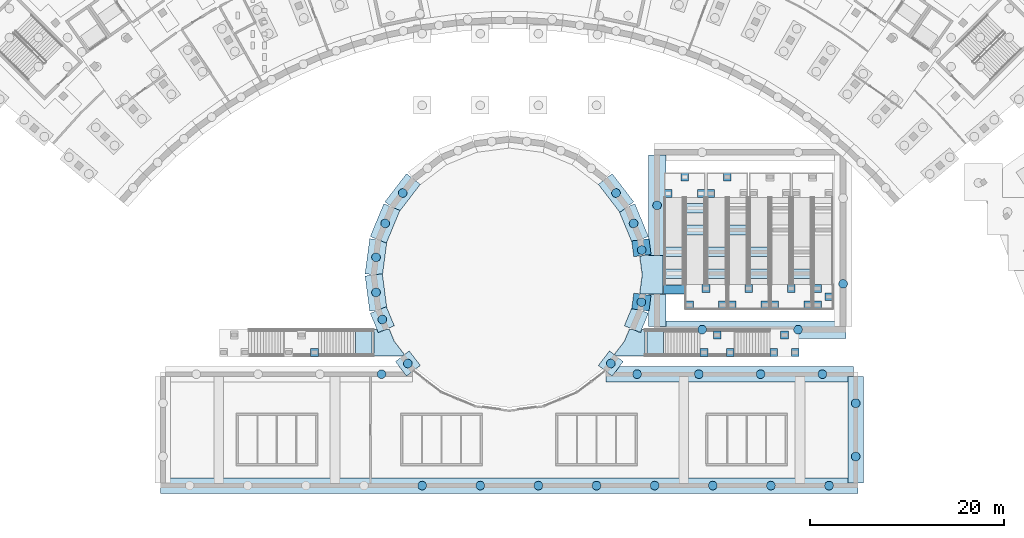
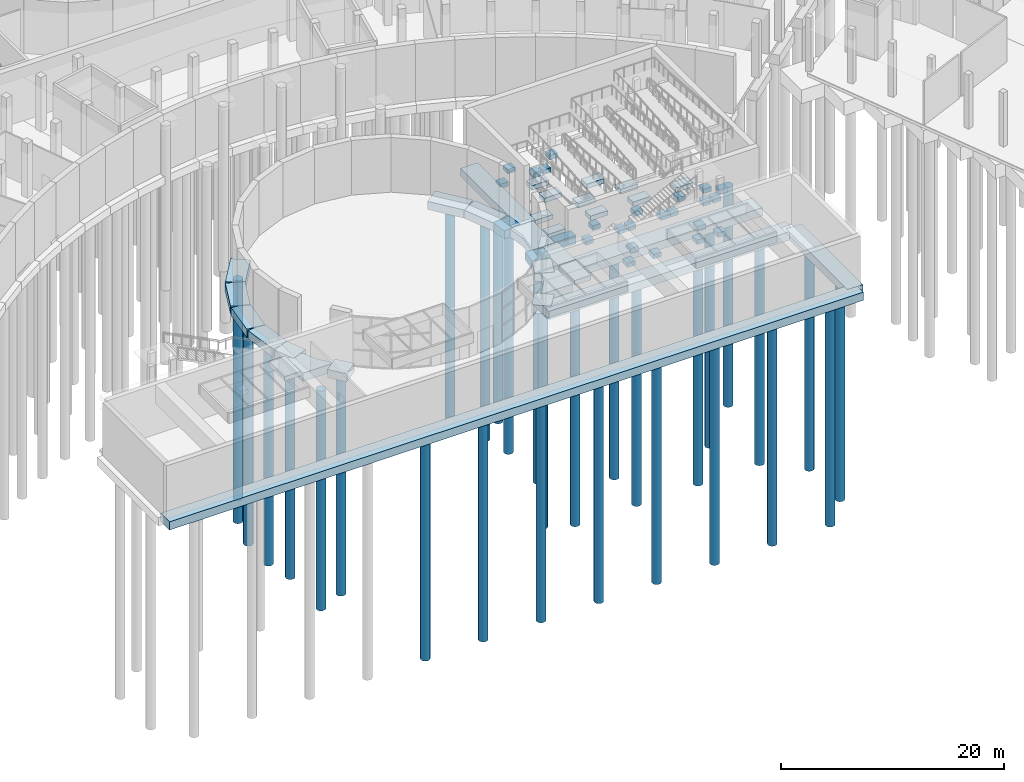
# One storey, part 2 of 66: 58 footings, 30 piles.
"""IFC4 building model written with IfcOpenShell, lengths in metres."""

from ifc_helpers import new_model, si_unit, direction, frame, origin, origin_2d, place, context, subcontext, project, spatial, polyline, circle, outline, extrude, material, material_profile, profile_set, type_object, element, save


model = new_model("IFC4")

# Units and contexts
model_context = context("Model", 3, precision=1e-05, world=origin(), true_north=direction((0.0, 1.0)))
body_context = subcontext(model_context, "Body", "Model", "MODEL_VIEW")
ifc_project = project(units=[si_unit("LENGTHUNIT", "METRE"), si_unit("AREAUNIT", "SQUARE_METRE"), si_unit("VOLUMEUNIT", "CUBIC_METRE"), si_unit("PLANEANGLEUNIT", "RADIAN"), si_unit("MASSUNIT", "GRAM", prefix="KILO")], contexts=[model_context])

# Site, building, storey
site_placement = place(None, origin())
site = spatial("IfcSite", under=ifc_project, at=site_placement, CompositionType="ELEMENT")
building_placement = place(site_placement, origin())
building = spatial("IfcBuilding", under=site, at=building_placement, Name="Lunette Opera House", CompositionType="ELEMENT")
storey_placement = place(building_placement, frame((0.0, 0.0, -6.0)))
storey = spatial("IfcBuildingStorey", under=building, at=storey_placement, Name="B1", CompositionType="ELEMENT", Elevation=-6.0)

# Piles
ifc_material_1 = material(Name="Concrete C40/50", Category="concrete")
ifc_material_profile = material_profile(ifc_material_1, circle(Radius=0.449951171875, at=origin_2d()), Name="BORED PILE 900")
ifc_profile_set = profile_set([ifc_material_profile], Name="Concrete C40/50")
pile_type = type_object("IfcPileType", Name="BORED PILE 900", PredefinedType="BORED", material=ifc_profile_set)
for number, where, z_axis, x_axis, name in (
    (1, (107.010986328125, 34.449951171875, -1.10009765625), (0.0, 0.0, -1.0), (1.0, 0.0, 0.0), "pile-SF-SFCCW04-1"),
    (2, (108.822998046875, 31.31201171875, -1.10009765625), (0.0, 0.0, -1.0), (1.0, 0.0, 0.0), "pile-SF-SFCCW05-1"),
    (3, (109.662109375, 28.56396484375, -1.10009765625), (0.0, 0.0, -1.0), (1.0, 0.0, 0.0), "pile-SF-SFCCW06-1"),
    (4, (109.6298828125, 23.18798828125, -1.10009765625), (0.0, 0.0, -1.0), (1.0, 0.0, 0.0), "pile-SF-SFCCW07-1"),
    (5, (106.47412109375, 16.85107421875, -1.10009765625), (0.0, 0.0, -1.0), (1.0, 0.0, 0.0), "pile-SF-SFCCW09-1"),
    (6, (85.52587890625, 16.85107421875, -1.10009765625), (0.0, 0.0, -1.0), (1.0, 0.0, 0.0), "pile-SF-SFCCW16-1"),
    (7, (82.886962890625, 21.388916015625, -1.10009765625), (0.0, 0.0, -1.0), (1.0, 0.0, 0.0), "pile-SF-SFCCW17-1"),
    (8, (82.239013671875, 24.18798828125, -1.10009765625), (0.0, 0.0, -1.0), (1.0, 0.0, 0.0), "pile-SF-SFCCW18-1"),
    (9, (82.239013671875, 27.81201171875, -1.10009765625), (0.0, 0.0, -1.0), (1.0, 0.0, 0.0), "pile-SF-SFCCW19-1"),
    (10, (83.177001953125, 31.31201171875, -1.10009765625), (0.0, 0.0, -1.0), (1.0, 0.0, 0.0), "pile-SF-SFCCW20-1"),
    (11, (84.989013671875, 34.449951171875, -1.10009765625), (0.0, 0.0, -1.0), (1.0, 0.0, 0.0), "pile-SF-SFCCW21-1"),
    (12, (115.89990234375, 20.35009765625, -1.10009765625), (0.0, 0.0, -1.0), (1.0, 0.0, 0.0), "pile-SF-SFCRPS-1"),
    (13, (125.800048828125, 20.35009765625, -1.10009765625), (0.0, 0.0, -1.0), (1.0, 0.0, 0.0), "pile-SF-SFCRPS-2"),
    (14, (130.449951171875, 25.074951171875, -1.10009765625), (0.0, 0.0, -1.0), (1.0, 0.0, 0.0), "pile-SF-SFCRPE-1"),
    (15, (111.25, 33.175048828125, -1.10009765625), (0.0, 0.0, -1.0), (1.0, 0.0, 0.0), "pile-SF-SFCRPWN-1"),
    (16, (87.0, 4.25, -1.10009765625), (0.0, 0.0, -1.0), (1.0, 0.0, 0.0), "pile-SF-SFCNS-5"),
    (17, (93.0, 4.25, -1.10009765625), (0.0, 0.0, -1.0), (1.0, 0.0, 0.0), "pile-SF-SFCNS-6"),
    (18, (99.0, 4.25, -1.10009765625), (0.0, 0.0, -1.0), (1.0, 0.0, 0.0), "pile-SF-SFCNS-7"),
    (19, (105.0, 4.25, -1.10009765625), (0.0, 0.0, -1.0), (1.0, 0.0, 0.0), "pile-SF-SFCNS-8"),
    (20, (111.0, 4.25, -1.10009765625), (0.0, 0.0, -1.0), (1.0, 0.0, 0.0), "pile-SF-SFCNS-9"),
    (21, (117.0, 4.25, -1.10009765625), (0.0, 0.0, -1.0), (1.0, 0.0, 0.0), "pile-SF-SFCNS-10"),
    (22, (123.0, 4.25, -1.10009765625), (0.0, 0.0, -1.0), (1.0, 0.0, 0.0), "pile-SF-SFCNS-11"),
    (23, (129.0, 4.25, -1.10009765625), (0.0, 0.0, -1.0), (1.0, 0.0, 0.0), "pile-SF-SFCNS-12"),
    (24, (131.75, 7.25, -1.10009765625), (0.0, 0.0, -1.0), (1.0, 0.0, 0.0), "pile-SF-SFCNE-1"),
    (25, (131.75, 12.75, -1.10009765625), (0.0, 0.0, -1.0), (1.0, 0.0, 0.0), "pile-SF-SFCNE-2"),
    (26, (82.81201171875, 15.75, -1.10009765625), (0.0, 0.0, -1.0), (1.0, 0.0, 0.0), "pile-SF-SFCNNW-4"),
    (27, (109.18798828125, 15.75, -1.10009765625), (0.0, 0.0, -1.0), (1.0, 0.0, 0.0), "pile-SF-SFCNNE-1"),
    (28, (115.56201171875, 15.75, -1.10009765625), (0.0, 0.0, -1.0), (1.0, 0.0, 0.0), "pile-SF-SFCNNE-2"),
    (29, (121.93798828125, 15.75, -1.10009765625), (0.0, 0.0, -1.0), (1.0, 0.0, 0.0), "pile-SF-SFCNNE-3"),
    (30, (128.31201171875, 15.75, -1.10009765625), (0.0, 0.0, -1.0), (1.0, 0.0, 0.0), "pile-SF-SFCNNE-4"),
):
    element("IfcPile", number, at=place(storey_placement, frame(where, z_axis=z_axis, x_axis=x_axis)), inside=storey, type_object=pile_type, Name=name, PredefinedType="BORED", context=body_context, shape_type="SweptSolid", body=[
        extrude(circle(Radius=0.449951171875, at=origin_2d()), origin(), (0.0, 0.0, 1.0), 24.10009765625),
    ])

# Footings
ifc_material_2 = material(Name="Concrete C35/45", Category="concrete")
footing_type_1 = type_object("IfcFootingType", Name="RAMP PIER FOOTING", PredefinedType="PAD_FOOTING", material=ifc_material_2)
footing_1_placement = place(storey_placement, frame((0.0, 0.0, -0.5)))
element("IfcFooting", 31, at=footing_1_placement, inside=storey, type_object=footing_type_1, Name="FS1 flight footing", PredefinedType="PAD_FOOTING", context=body_context, shape_type="SweptSolid", body=[
    extrude(outline(polyline([(80.10009765625, 17.60009765625), (81.800048828125, 17.60009765625), (81.800048828125, 20.39990234375), (80.10009765625, 20.39990234375), (80.10009765625, 17.60009765625)])), origin(), (0.0, 0.0, 1.0), 0.5),
])
footing_2_placement = place(storey_placement, frame((0.0, 0.0, -0.5)))
element("IfcFooting", 32, at=footing_2_placement, inside=storey, type_object=footing_type_1, Name="Bearing pier footing FS1-L1-P2", PredefinedType="PAD_FOOTING", context=body_context, shape_type="SweptSolid", body=[
    extrude(outline(polyline([(75.5, 17.60009765625), (76.300048828125, 17.60009765625), (76.300048828125, 18.39990234375), (75.5, 18.39990234375), (75.5, 17.60009765625)])), origin(), (0.0, 0.0, 1.0), 0.5),
])
footing_3_placement = place(storey_placement, frame((0.0, 0.0, -0.5)))
element("IfcFooting", 33, at=footing_3_placement, inside=storey, type_object=footing_type_1, Name="FS2 flight footing", PredefinedType="PAD_FOOTING", context=body_context, shape_type="SweptSolid", body=[
    extrude(outline(polyline([(110.199951171875, 17.60009765625), (111.89990234375, 17.60009765625), (111.89990234375, 20.39990234375), (110.199951171875, 20.39990234375), (110.199951171875, 17.60009765625)])), origin(), (0.0, 0.0, 1.0), 0.5),
])
footing_4_placement = place(storey_placement, frame((0.0, 0.0, -0.5)))
element("IfcFooting", 34, at=footing_4_placement, inside=storey, type_object=footing_type_1, Name="Bearing pier footing FS2-L1-P1", PredefinedType="PAD_FOOTING", context=body_context, shape_type="SweptSolid", body=[
    extrude(outline(polyline([(115.699951171875, 17.60009765625), (116.5, 17.60009765625), (116.5, 18.39990234375), (115.699951171875, 18.39990234375), (115.699951171875, 17.60009765625)])), origin(), (0.0, 0.0, 1.0), 0.5),
])
footing_5_placement = place(storey_placement, frame((0.0, 0.0, -0.5)))
element("IfcFooting", 35, at=footing_5_placement, inside=storey, type_object=footing_type_1, Name="Bearing pier footing FS2-L1-P2", PredefinedType="PAD_FOOTING", context=body_context, shape_type="SweptSolid", body=[
    extrude(outline(polyline([(118.39990234375, 17.60009765625), (119.199951171875, 17.60009765625), (119.199951171875, 18.39990234375), (118.39990234375, 18.39990234375), (118.39990234375, 17.60009765625)])), origin(), (0.0, 0.0, 1.0), 0.5),
])
footing_6_placement = place(storey_placement, frame((0.0, 0.0, -0.5)))
element("IfcFooting", 36, at=footing_6_placement, inside=storey, type_object=footing_type_1, Name="Bearing pier footing FS2-L1-P3", PredefinedType="PAD_FOOTING", context=body_context, shape_type="SweptSolid", body=[
    extrude(outline(polyline([(117.050048828125, 19.39990234375), (117.85009765625, 19.39990234375), (117.85009765625, 20.199951171875), (117.050048828125, 20.199951171875), (117.050048828125, 19.39990234375)])), origin(), (0.0, 0.0, 1.0), 0.5),
])
footing_7_placement = place(storey_placement, frame((0.0, 0.0, -0.5)))
element("IfcFooting", 37, at=footing_7_placement, inside=storey, type_object=footing_type_1, Name="Bearing pier footing FS2-L2-P1", PredefinedType="PAD_FOOTING", context=body_context, shape_type="SweptSolid", body=[
    extrude(outline(polyline([(122.89990234375, 17.60009765625), (123.699951171875, 17.60009765625), (123.699951171875, 18.39990234375), (122.89990234375, 18.39990234375), (122.89990234375, 17.60009765625)])), origin(), (0.0, 0.0, 1.0), 0.5),
])
footing_8_placement = place(storey_placement, frame((0.0, 0.0, -0.5)))
element("IfcFooting", 38, at=footing_8_placement, inside=storey, type_object=footing_type_1, Name="Bearing pier footing FS2-L2-P2", PredefinedType="PAD_FOOTING", context=body_context, shape_type="SweptSolid", body=[
    extrude(outline(polyline([(125.10009765625, 17.60009765625), (125.89990234375, 17.60009765625), (125.89990234375, 18.39990234375), (125.10009765625, 18.39990234375), (125.10009765625, 17.60009765625)])), origin(), (0.0, 0.0, 1.0), 0.5),
])
footing_9_placement = place(storey_placement, frame((0.0, 0.0, -0.5)))
element("IfcFooting", 39, at=footing_9_placement, inside=storey, type_object=footing_type_1, Name="Bearing pier footing FS2-L2-P3", PredefinedType="PAD_FOOTING", context=body_context, shape_type="SweptSolid", body=[
    extrude(outline(polyline([(124.0, 19.39990234375), (124.800048828125, 19.39990234375), (124.800048828125, 20.199951171875), (124.0, 20.199951171875), (124.0, 19.39990234375)])), origin(), (0.0, 0.0, 1.0), 0.5),
])
footing_10_placement = place(storey_placement, frame((0.0, 0.0, -0.95703125)))
element("IfcFooting", 40, at=footing_10_placement, inside=storey, type_object=footing_type_1, Name="Bearing pier footing FR1-R1", PredefinedType="PAD_FOOTING", context=body_context, shape_type="SweptSolid", body=[
    extrude(outline(polyline([(112.10009765625, 25.625), (113.89990234375, 25.625), (113.89990234375, 26.625), (112.10009765625, 26.625), (112.10009765625, 25.625)])), origin(), (0.0, 0.0, 1.0), 0.5),
])
footing_11_placement = place(storey_placement, frame((0.0, 0.0, -0.77001953125)))
element("IfcFooting", 41, at=footing_11_placement, inside=storey, type_object=footing_type_1, Name="Bearing pier footing FR1-R2", PredefinedType="PAD_FOOTING", context=body_context, shape_type="SweptSolid", body=[
    extrude(outline(polyline([(112.10009765625, 27.875), (113.89990234375, 27.875), (113.89990234375, 28.875), (112.10009765625, 28.875), (112.10009765625, 27.875)])), origin(), (0.0, 0.0, 1.0), 0.5),
])
footing_12_placement = place(storey_placement, frame((0.0, 0.0, -0.5)))
element("IfcFooting", 42, at=footing_12_placement, inside=storey, type_object=footing_type_1, Name="Bearing pier footing FR1-L-P1", PredefinedType="PAD_FOOTING", context=body_context, shape_type="SweptSolid", body=[
    extrude(outline(polyline([(112.0, 34.0), (112.800048828125, 34.0), (112.800048828125, 34.800048828125), (112.0, 34.800048828125), (112.0, 34.0)])), origin(), (0.0, 0.0, 1.0), 0.5),
])
footing_13_placement = place(storey_placement, frame((0.0, 0.0, -0.5)))
element("IfcFooting", 43, at=footing_13_placement, inside=storey, type_object=footing_type_1, Name="Bearing pier footing FR1-L-P2", PredefinedType="PAD_FOOTING", context=body_context, shape_type="SweptSolid", body=[
    extrude(outline(polyline([(115.39990234375, 34.0), (116.199951171875, 34.0), (116.199951171875, 34.800048828125), (115.39990234375, 34.800048828125), (115.39990234375, 34.0)])), origin(), (0.0, 0.0, 1.0), 0.5),
])
footing_14_placement = place(storey_placement, frame((0.0, 0.0, -0.5)))
element("IfcFooting", 44, at=footing_14_placement, inside=storey, type_object=footing_type_1, Name="Bearing pier footing FR1-L-P3", PredefinedType="PAD_FOOTING", context=body_context, shape_type="SweptSolid", body=[
    extrude(outline(polyline([(113.699951171875, 35.699951171875), (114.5, 35.699951171875), (114.5, 36.5), (113.699951171875, 36.5), (113.699951171875, 35.699951171875)])), origin(), (0.0, 0.0, 1.0), 0.5),
])
footing_15_placement = place(storey_placement, frame((0.0, 0.0, -0.5)))
element("IfcFooting", 45, at=footing_15_placement, inside=storey, type_object=footing_type_1, Name="Bearing pier footing FR2-R1", PredefinedType="PAD_FOOTING", context=body_context, shape_type="SweptSolid", body=[
    extrude(outline(polyline([(114.300048828125, 32.375), (116.10009765625, 32.375), (116.10009765625, 33.375), (114.300048828125, 33.375), (114.300048828125, 32.375)])), origin(), (0.0, 0.0, 1.0), 0.5),
])
footing_16_placement = place(storey_placement, frame((0.0, 0.0, -0.5)))
element("IfcFooting", 46, at=footing_16_placement, inside=storey, type_object=footing_type_1, Name="Bearing pier footing FR2-R2", PredefinedType="PAD_FOOTING", context=body_context, shape_type="SweptSolid", body=[
    extrude(outline(polyline([(114.300048828125, 30.125), (116.10009765625, 30.125), (116.10009765625, 31.125), (114.300048828125, 31.125), (114.300048828125, 30.125)])), origin(), (0.0, 0.0, 1.0), 0.5),
])
footing_17_placement = place(storey_placement, frame((0.0, 0.0, -0.5)))
element("IfcFooting", 47, at=footing_17_placement, inside=storey, type_object=footing_type_1, Name="Bearing pier footing FR2-L-P1", PredefinedType="PAD_FOOTING", context=body_context, shape_type="SweptSolid", body=[
    extrude(outline(polyline([(114.199951171875, 22.5), (115.0, 22.5), (115.0, 23.300048828125), (114.199951171875, 23.300048828125), (114.199951171875, 22.5)])), origin(), (0.0, 0.0, 1.0), 0.5),
])
footing_18_placement = place(storey_placement, frame((0.0, 0.0, -0.5)))
element("IfcFooting", 48, at=footing_18_placement, inside=storey, type_object=footing_type_1, Name="Bearing pier footing FR2-L-P2", PredefinedType="PAD_FOOTING", context=body_context, shape_type="SweptSolid", body=[
    extrude(outline(polyline([(117.60009765625, 22.5), (118.39990234375, 22.5), (118.39990234375, 23.300048828125), (117.60009765625, 23.300048828125), (117.60009765625, 22.5)])), origin(), (0.0, 0.0, 1.0), 0.5),
])
footing_19_placement = place(storey_placement, frame((0.0, 0.0, -0.5)))
element("IfcFooting", 49, at=footing_19_placement, inside=storey, type_object=footing_type_1, Name="Bearing pier footing FR2-L-P3", PredefinedType="PAD_FOOTING", context=body_context, shape_type="SweptSolid", body=[
    extrude(outline(polyline([(115.89990234375, 24.199951171875), (116.699951171875, 24.199951171875), (116.699951171875, 25.0), (115.89990234375, 25.0), (115.89990234375, 24.199951171875)])), origin(), (0.0, 0.0, 1.0), 0.5),
])
footing_20_placement = place(storey_placement, frame((0.0, 0.0, -0.5)))
element("IfcFooting", 50, at=footing_20_placement, inside=storey, type_object=footing_type_1, Name="Bearing pier footing FR3-R1", PredefinedType="PAD_FOOTING", context=body_context, shape_type="SweptSolid", body=[
    extrude(outline(polyline([(116.5, 25.625), (118.300048828125, 25.625), (118.300048828125, 26.625), (116.5, 26.625), (116.5, 25.625)])), origin(), (0.0, 0.0, 1.0), 0.5),
])
footing_21_placement = place(storey_placement, frame((0.0, 0.0, -0.5)))
element("IfcFooting", 51, at=footing_21_placement, inside=storey, type_object=footing_type_1, Name="Bearing pier footing FR3-R2", PredefinedType="PAD_FOOTING", context=body_context, shape_type="SweptSolid", body=[
    extrude(outline(polyline([(116.5, 27.875), (118.300048828125, 27.875), (118.300048828125, 28.875), (116.5, 28.875), (116.5, 27.875)])), origin(), (0.0, 0.0, 1.0), 0.5),
])
footing_22_placement = place(storey_placement, frame((0.0, 0.0, -0.5)))
element("IfcFooting", 52, at=footing_22_placement, inside=storey, type_object=footing_type_1, Name="Bearing pier footing FR3-L-P1", PredefinedType="PAD_FOOTING", context=body_context, shape_type="SweptSolid", body=[
    extrude(outline(polyline([(116.39990234375, 34.0), (117.199951171875, 34.0), (117.199951171875, 34.800048828125), (116.39990234375, 34.800048828125), (116.39990234375, 34.0)])), origin(), (0.0, 0.0, 1.0), 0.5),
])
footing_23_placement = place(storey_placement, frame((0.0, 0.0, -0.5)))
element("IfcFooting", 53, at=footing_23_placement, inside=storey, type_object=footing_type_1, Name="Bearing pier footing FR3-L-P3", PredefinedType="PAD_FOOTING", context=body_context, shape_type="SweptSolid", body=[
    extrude(outline(polyline([(118.10009765625, 35.699951171875), (118.89990234375, 35.699951171875), (118.89990234375, 36.5), (118.10009765625, 36.5), (118.10009765625, 35.699951171875)])), origin(), (0.0, 0.0, 1.0), 0.5),
])
footing_24_placement = place(storey_placement, frame((0.0, 0.0, -0.5)))
element("IfcFooting", 54, at=footing_24_placement, inside=storey, type_object=footing_type_1, Name="Bearing pier footing FR4-R2", PredefinedType="PAD_FOOTING", context=body_context, shape_type="SweptSolid", body=[
    extrude(outline(polyline([(118.699951171875, 30.125), (120.5, 30.125), (120.5, 31.125), (118.699951171875, 31.125), (118.699951171875, 30.125)])), origin(), (0.0, 0.0, 1.0), 0.5),
])
footing_25_placement = place(storey_placement, frame((0.0, 0.0, -0.5)))
element("IfcFooting", 55, at=footing_25_placement, inside=storey, type_object=footing_type_1, Name="Bearing pier footing FR4-L-P1", PredefinedType="PAD_FOOTING", context=body_context, shape_type="SweptSolid", body=[
    extrude(outline(polyline([(118.60009765625, 22.5), (119.39990234375, 22.5), (119.39990234375, 23.300048828125), (118.60009765625, 23.300048828125), (118.60009765625, 22.5)])), origin(), (0.0, 0.0, 1.0), 0.5),
])
footing_26_placement = place(storey_placement, frame((0.0, 0.0, -0.5)))
element("IfcFooting", 56, at=footing_26_placement, inside=storey, type_object=footing_type_1, Name="Bearing pier footing FR4-L-P2", PredefinedType="PAD_FOOTING", context=body_context, shape_type="SweptSolid", body=[
    extrude(outline(polyline([(122.0, 22.5), (122.800048828125, 22.5), (122.800048828125, 23.300048828125), (122.0, 23.300048828125), (122.0, 22.5)])), origin(), (0.0, 0.0, 1.0), 0.5),
])
footing_27_placement = place(storey_placement, frame((0.0, 0.0, -0.5)))
element("IfcFooting", 57, at=footing_27_placement, inside=storey, type_object=footing_type_1, Name="Bearing pier footing FR4-L-P3", PredefinedType="PAD_FOOTING", context=body_context, shape_type="SweptSolid", body=[
    extrude(outline(polyline([(120.300048828125, 24.199951171875), (121.10009765625, 24.199951171875), (121.10009765625, 25.0), (120.300048828125, 25.0), (120.300048828125, 24.199951171875)])), origin(), (0.0, 0.0, 1.0), 0.5),
])
footing_28_placement = place(storey_placement, frame((0.0, 0.0, -0.5)))
element("IfcFooting", 58, at=footing_28_placement, inside=storey, type_object=footing_type_1, Name="Bearing pier footing FR5-R1", PredefinedType="PAD_FOOTING", context=body_context, shape_type="SweptSolid", body=[
    extrude(outline(polyline([(120.89990234375, 25.625), (122.699951171875, 25.625), (122.699951171875, 26.625), (120.89990234375, 26.625), (120.89990234375, 25.625)])), origin(), (0.0, 0.0, 1.0), 0.5),
])
footing_29_placement = place(storey_placement, frame((0.0, 0.0, -0.5)))
element("IfcFooting", 59, at=footing_29_placement, inside=storey, type_object=footing_type_1, Name="Bearing pier footing FR5-R2", PredefinedType="PAD_FOOTING", context=body_context, shape_type="SweptSolid", body=[
    extrude(outline(polyline([(120.89990234375, 27.875), (122.699951171875, 27.875), (122.699951171875, 28.875), (120.89990234375, 28.875), (120.89990234375, 27.875)])), origin(), (0.0, 0.0, 1.0), 0.5),
])
footing_30_placement = place(storey_placement, frame((0.0, 0.0, -0.5)))
element("IfcFooting", 60, at=footing_30_placement, inside=storey, type_object=footing_type_1, Name="Bearing pier footing FR6-L-P1", PredefinedType="PAD_FOOTING", context=body_context, shape_type="SweptSolid", body=[
    extrude(outline(polyline([(123.0, 22.5), (123.800048828125, 22.5), (123.800048828125, 23.300048828125), (123.0, 23.300048828125), (123.0, 22.5)])), origin(), (0.0, 0.0, 1.0), 0.5),
])
footing_31_placement = place(storey_placement, frame((0.0, 0.0, -0.5)))
element("IfcFooting", 61, at=footing_31_placement, inside=storey, type_object=footing_type_1, Name="Bearing pier footing FR6-L-P2", PredefinedType="PAD_FOOTING", context=body_context, shape_type="SweptSolid", body=[
    extrude(outline(polyline([(126.39990234375, 22.5), (127.199951171875, 22.5), (127.199951171875, 23.300048828125), (126.39990234375, 23.300048828125), (126.39990234375, 22.5)])), origin(), (0.0, 0.0, 1.0), 0.5),
])
footing_32_placement = place(storey_placement, frame((0.0, 0.0, -0.5)))
element("IfcFooting", 62, at=footing_32_placement, inside=storey, type_object=footing_type_1, Name="Bearing pier footing FR6-L-P3", PredefinedType="PAD_FOOTING", context=body_context, shape_type="SweptSolid", body=[
    extrude(outline(polyline([(124.699951171875, 24.199951171875), (125.5, 24.199951171875), (125.5, 25.0), (124.699951171875, 25.0), (124.699951171875, 24.199951171875)])), origin(), (0.0, 0.0, 1.0), 0.5),
])
footing_33_placement = place(storey_placement, frame((0.0, 0.0, -0.5)))
element("IfcFooting", 63, at=footing_33_placement, inside=storey, type_object=footing_type_1, Name="Bearing pier footing FR7-R1", PredefinedType="PAD_FOOTING", context=body_context, shape_type="SweptSolid", body=[
    extrude(outline(polyline([(125.300048828125, 25.625), (127.10009765625, 25.625), (127.10009765625, 26.625), (125.300048828125, 26.625), (125.300048828125, 25.625)])), origin(), (0.0, 0.0, 1.0), 0.5),
])
footing_34_placement = place(storey_placement, frame((0.0, 0.0, -0.5)))
element("IfcFooting", 64, at=footing_34_placement, inside=storey, type_object=footing_type_1, Name="Bearing pier footing FR8-L-P1", PredefinedType="PAD_FOOTING", context=body_context, shape_type="SweptSolid", body=[
    extrude(outline(polyline([(127.39990234375, 22.5), (128.199951171875, 22.5), (128.199951171875, 23.300048828125), (127.39990234375, 23.300048828125), (127.39990234375, 22.5)])), origin(), (0.0, 0.0, 1.0), 0.5),
])
footing_35_placement = place(storey_placement, frame((0.0, 0.0, -0.5)))
element("IfcFooting", 65, at=footing_35_placement, inside=storey, type_object=footing_type_1, Name="Bearing pier footing FR8-L-P2", PredefinedType="PAD_FOOTING", context=body_context, shape_type="SweptSolid", body=[
    extrude(outline(polyline([(127.39990234375, 24.199951171875), (128.199951171875, 24.199951171875), (128.199951171875, 25.0), (127.39990234375, 25.0), (127.39990234375, 24.199951171875)])), origin(), (0.0, 0.0, 1.0), 0.5),
])
footing_36_placement = place(storey_placement, frame((0.0, 0.0, -0.5)))
element("IfcFooting", 66, at=footing_36_placement, inside=storey, type_object=footing_type_1, Name="Bearing pier footing FR8-L-P3", PredefinedType="PAD_FOOTING", context=body_context, shape_type="SweptSolid", body=[
    extrude(outline(polyline([(128.60009765625, 23.35009765625), (129.39990234375, 23.35009765625), (129.39990234375, 24.14990234375), (128.60009765625, 24.14990234375), (128.60009765625, 23.35009765625)])), origin(), (0.0, 0.0, 1.0), 0.5),
])
ifc_material_3 = material(Name="Concrete C35/45", Category="concrete")
footing_type_2 = type_object("IfcFootingType", Name="STRIP FOOTING 1800X900", PredefinedType="STRIP_FOOTING", material=ifc_material_3)
footing_37_placement = place(storey_placement, frame((0.0, 0.0, -1.199951171875)))
element("IfcFooting", 67, at=footing_37_placement, inside=storey, type_object=footing_type_2, Name="ftg-SF-SFCCW04", PredefinedType="STRIP_FOOTING", context=body_context, shape_type="SweptSolid", body=[
    extrude(outline(polyline([(106.613037109375, 36.447021484375), (105.18505859375, 35.35107421875), (107.409912109375, 32.451904296875), (108.837890625, 33.548095703125), (106.613037109375, 36.447021484375)])), origin(), (0.0, 0.0, 1.0), 0.89990234375),
])
footing_38_placement = place(storey_placement, frame((0.0, 0.0, -1.199951171875)))
element("IfcFooting", 68, at=footing_38_placement, inside=storey, type_object=footing_type_2, Name="ftg-SF-SFCCW05", PredefinedType="STRIP_FOOTING", context=body_context, shape_type="SweptSolid", body=[
    extrude(outline(polyline([(108.955078125, 33.343994140625), (107.29296875, 32.656005859375), (108.69189453125, 29.279052734375), (110.35400390625, 29.967041015625), (108.955078125, 33.343994140625)])), origin(), (0.0, 0.0, 1.0), 0.89990234375),
])
footing_39_placement = place(storey_placement, frame((0.0, 0.0, -1.199951171875)))
element("IfcFooting", 69, at=footing_39_placement, inside=storey, type_object=footing_type_2, Name="ftg-SF-SFCCW06", PredefinedType="STRIP_FOOTING", context=body_context, shape_type="SweptSolid", body=[
    extrude(outline(polyline([(110.4150390625, 29.739990234375), (108.631103515625, 29.506103515625), (108.843994140625, 27.883056640625), (110.62890625, 28.116943359375), (110.4150390625, 29.739990234375)])), origin(), (0.0, 0.0, 1.0), 0.89990234375),
])
footing_40_placement = place(storey_placement, frame((0.0, 0.0, -1.199951171875)))
element("IfcFooting", 70, at=footing_40_placement, inside=storey, type_object=footing_type_2, Name="ftg-SF-SFCCW07", PredefinedType="STRIP_FOOTING", context=body_context, shape_type="SweptSolid", body=[
    extrude(outline(polyline([(110.62890625, 23.883056640625), (108.843994140625, 24.116943359375), (108.631103515625, 22.493896484375), (110.4150390625, 22.260009765625), (110.62890625, 23.883056640625)])), origin(), (0.0, 0.0, 1.0), 0.89990234375),
])
footing_41_placement = place(storey_placement, frame((0.0, 0.0, -1.199951171875)))
element("IfcFooting", 71, at=footing_41_placement, inside=storey, type_object=footing_type_2, Name="ftg-SF-SFCCW08", PredefinedType="STRIP_FOOTING", context=body_context, shape_type="SweptSolid", body=[
    extrude(outline(polyline([(110.35400390625, 22.032958984375), (108.69189453125, 22.720947265625), (107.873046875, 20.743896484375), (109.534912109375, 20.055908203125), (110.35400390625, 22.032958984375)])), origin(), (0.0, 0.0, 1.0), 0.89990234375),
])
footing_42_placement = place(storey_placement, frame((0.0, 0.0, -1.199951171875)))
element("IfcFooting", 72, at=footing_42_placement, inside=storey, type_object=footing_type_2, Name="ftg-SF-SFCCW09", PredefinedType="STRIP_FOOTING", context=body_context, shape_type="SweptSolid", body=[
    extrude(outline(polyline([(107.762939453125, 17.052001953125), (106.3359375, 18.14794921875), (105.18505859375, 16.64892578125), (106.613037109375, 15.552978515625), (107.762939453125, 17.052001953125)])), origin(), (0.0, 0.0, 1.0), 0.89990234375),
])
footing_43_placement = place(storey_placement, frame((0.0, 0.0, -1.199951171875)))
element("IfcFooting", 73, at=footing_43_placement, inside=storey, type_object=footing_type_2, Name="ftg-SF-SFCCW16", PredefinedType="STRIP_FOOTING", context=body_context, shape_type="SweptSolid", body=[
    extrude(outline(polyline([(85.386962890625, 15.552978515625), (86.81494140625, 16.64892578125), (85.6640625, 18.14794921875), (84.237060546875, 17.052001953125), (85.386962890625, 15.552978515625)])), origin(), (0.0, 0.0, 1.0), 0.89990234375),
])
footing_44_placement = place(storey_placement, frame((0.0, 0.0, -1.199951171875)))
element("IfcFooting", 74, at=footing_44_placement, inside=storey, type_object=footing_type_2, Name="ftg-SF-SFCCW17", PredefinedType="STRIP_FOOTING", context=body_context, shape_type="SweptSolid", body=[
    extrude(outline(polyline([(82.465087890625, 20.055908203125), (84.126953125, 20.743896484375), (83.30810546875, 22.720947265625), (81.64599609375, 22.032958984375), (82.465087890625, 20.055908203125)])), origin(), (0.0, 0.0, 1.0), 0.89990234375),
])
footing_45_placement = place(storey_placement, frame((0.0, 0.0, -1.199951171875)))
element("IfcFooting", 75, at=footing_45_placement, inside=storey, type_object=footing_type_2, Name="ftg-SF-SFCCW18", PredefinedType="STRIP_FOOTING", context=body_context, shape_type="SweptSolid", body=[
    extrude(outline(polyline([(81.5849609375, 22.260009765625), (83.368896484375, 22.493896484375), (82.89208984375, 26.116943359375), (81.10791015625, 25.883056640625), (81.5849609375, 22.260009765625)])), origin(), (0.0, 0.0, 1.0), 0.89990234375),
])
footing_46_placement = place(storey_placement, frame((0.0, 0.0, -1.199951171875)))
element("IfcFooting", 76, at=footing_46_placement, inside=storey, type_object=footing_type_2, Name="ftg-SF-SFCCW19", PredefinedType="STRIP_FOOTING", context=body_context, shape_type="SweptSolid", body=[
    extrude(outline(polyline([(81.10791015625, 26.116943359375), (82.89208984375, 25.883056640625), (83.368896484375, 29.506103515625), (81.5849609375, 29.739990234375), (81.10791015625, 26.116943359375)])), origin(), (0.0, 0.0, 1.0), 0.89990234375),
])
footing_47_placement = place(storey_placement, frame((0.0, 0.0, -1.199951171875)))
element("IfcFooting", 77, at=footing_47_placement, inside=storey, type_object=footing_type_2, Name="ftg-SF-SFCCW20", PredefinedType="STRIP_FOOTING", context=body_context, shape_type="SweptSolid", body=[
    extrude(outline(polyline([(81.64599609375, 29.967041015625), (83.30810546875, 29.279052734375), (84.70703125, 32.656005859375), (83.044921875, 33.343994140625), (81.64599609375, 29.967041015625)])), origin(), (0.0, 0.0, 1.0), 0.89990234375),
])
footing_48_placement = place(storey_placement, frame((0.0, 0.0, -1.199951171875)))
element("IfcFooting", 78, at=footing_48_placement, inside=storey, type_object=footing_type_2, Name="ftg-SF-SFCCW21", PredefinedType="STRIP_FOOTING", context=body_context, shape_type="SweptSolid", body=[
    extrude(outline(polyline([(83.162109375, 33.548095703125), (84.590087890625, 32.451904296875), (86.81494140625, 35.35107421875), (85.386962890625, 36.447021484375), (83.162109375, 33.548095703125)])), origin(), (0.0, 0.0, 1.0), 0.89990234375),
])
footing_49_placement = place(storey_placement, frame((0.0, 0.0, -1.199951171875)))
element("IfcFooting", 79, at=footing_49_placement, inside=storey, type_object=footing_type_2, Name="ftg-SF-COURTFSW", PredefinedType="STRIP_FOOTING", context=body_context, shape_type="SweptSolid", body=[
    extrude(outline(polyline([(82.02001953125, 20.3798828125), (82.02001953125, 17.6201171875), (84.944091796875, 17.6201171875), (85.159912109375, 17.785888671875), (84.12109375, 19.14111328125), (83.60693359375, 20.3798828125), (83.300048828125, 20.3798828125), (82.465087890625, 20.035888671875), (82.446044921875, 20.048095703125), (82.30810546875, 20.3798828125), (82.02001953125, 20.3798828125)])), origin(), (0.0, 0.0, 1.0), 0.89990234375),
])
footing_50_placement = place(storey_placement, frame((0.0, 0.0, -1.199951171875)))
element("IfcFooting", 80, at=footing_50_placement, inside=storey, type_object=footing_type_2, Name="ftg-SF-COURTFSE", PredefinedType="STRIP_FOOTING", context=body_context, shape_type="SweptSolid", body=[
    extrude(outline(polyline([(109.97998046875, 17.6201171875), (109.97998046875, 20.3798828125), (109.69189453125, 20.3798828125), (109.553955078125, 20.048095703125), (109.534912109375, 20.035888671875), (108.699951171875, 20.3798828125), (108.39306640625, 20.3798828125), (107.87890625, 19.14111328125), (106.840087890625, 17.785888671875), (107.055908203125, 17.6201171875), (109.97998046875, 17.6201171875)])), origin(), (0.0, 0.0, 1.0), 0.89990234375),
])
footing_51_placement = place(storey_placement, frame((0.0, 0.0, -1.199951171875)))
element("IfcFooting", 81, at=footing_51_placement, inside=storey, type_object=footing_type_2, Name="ftg-SF-SFCRPS", PredefinedType="STRIP_FOOTING", context=body_context, shape_type="SweptSolid", body=[
    extrude(outline(polyline([(110.949951171875, 21.25), (110.949951171875, 19.449951171875), (130.75, 19.449951171875), (130.75, 21.25), (110.949951171875, 21.25)])), origin(), (0.0, 0.0, 1.0), 0.89990234375),
])
footing_52_placement = place(storey_placement, frame((0.0, 0.0, -1.199951171875)))
element("IfcFooting", 82, at=footing_52_placement, inside=storey, type_object=footing_type_2, Name="ftg-SF-SFCRPWS", PredefinedType="STRIP_FOOTING", context=body_context, shape_type="SweptSolid", body=[
    extrude(outline(polyline([(110.35009765625, 20.64990234375), (112.14990234375, 20.64990234375), (112.14990234375, 24.0), (110.35009765625, 24.0), (110.35009765625, 20.64990234375)])), origin(), (0.0, 0.0, 1.0), 0.89990234375),
])
footing_53_placement = place(storey_placement, frame((0.0, 0.0, -1.199951171875)))
element("IfcFooting", 83, at=footing_53_placement, inside=storey, type_object=footing_type_2, Name="ftg-SF-SFCRPWN", PredefinedType="STRIP_FOOTING", context=body_context, shape_type="SweptSolid", body=[
    extrude(outline(polyline([(110.35009765625, 28.0), (112.14990234375, 28.0), (112.14990234375, 38.35009765625), (110.35009765625, 38.35009765625), (110.35009765625, 28.0)])), origin(), (0.0, 0.0, 1.0), 0.89990234375),
])
footing_54_placement = place(storey_placement, frame((0.0, 0.0, -1.199951171875)))
element("IfcFooting", 84, at=footing_54_placement, inside=storey, type_object=footing_type_2, Name="ftg-SF-COURTFR1", PredefinedType="STRIP_FOOTING", context=body_context, shape_type="SweptSolid", body=[
    extrude(outline(polyline([(111.8798828125, 24.02001953125), (111.8798828125, 27.97998046875), (109.738037109375, 27.97998046875), (109.4619140625, 27.944091796875), (109.718017578125, 26.0), (109.4619140625, 24.055908203125), (109.738037109375, 24.02001953125), (111.8798828125, 24.02001953125)])), origin(), (0.0, 0.0, 1.0), 0.89990234375),
])
footing_55_placement = place(storey_placement, frame((0.0, 0.0, -1.199951171875)))
element("IfcFooting", 85, at=footing_55_placement, inside=storey, type_object=footing_type_2, Name="ftg-SF-COURTFR2", PredefinedType="STRIP_FOOTING", context=body_context, shape_type="SweptSolid", body=[
    extrude(outline(polyline([(114.080078125, 24.02001953125), (114.080078125, 24.97998046875), (111.919921875, 24.97998046875), (111.919921875, 24.02001953125), (114.080078125, 24.02001953125)])), origin(), (0.0, 0.0, 1.0), 0.89990234375),
])
footing_56_placement = place(storey_placement, frame((0.0, 0.0, -1.199951171875)))
element("IfcFooting", 86, at=footing_56_placement, inside=storey, type_object=footing_type_2, Name="ftg-SF-SFCNS", PredefinedType="STRIP_FOOTING", context=body_context, shape_type="SweptSolid", body=[
    extrude(outline(polyline([(60.0, 5.050048828125), (60.0, 3.449951171875), (132.0, 3.449951171875), (132.0, 5.050048828125), (60.0, 5.050048828125)])), origin(), (0.0, 0.0, 1.0), 0.89990234375),
])
footing_57_placement = place(storey_placement, frame((0.0, 0.0, -1.199951171875)))
element("IfcFooting", 87, at=footing_57_placement, inside=storey, type_object=footing_type_2, Name="ftg-SF-SFCNE", PredefinedType="STRIP_FOOTING", context=body_context, shape_type="SweptSolid", body=[
    extrude(outline(polyline([(130.949951171875, 4.5), (132.550048828125, 4.5), (132.550048828125, 15.5), (130.949951171875, 15.5), (130.949951171875, 4.5)])), origin(), (0.0, 0.0, 1.0), 0.89990234375),
])
footing_58_placement = place(storey_placement, frame((0.0, 0.0, -1.199951171875)))
element("IfcFooting", 88, at=footing_58_placement, inside=storey, type_object=footing_type_2, Name="ftg-SF-SFCNNE", PredefinedType="STRIP_FOOTING", context=body_context, shape_type="SweptSolid", body=[
    extrude(outline(polyline([(106.0, 16.550048828125), (106.0, 14.949951171875), (131.5, 14.949951171875), (131.5, 16.550048828125), (106.0, 16.550048828125)])), origin(), (0.0, 0.0, 1.0), 0.89990234375),
])

save(model, "model.ifc")
